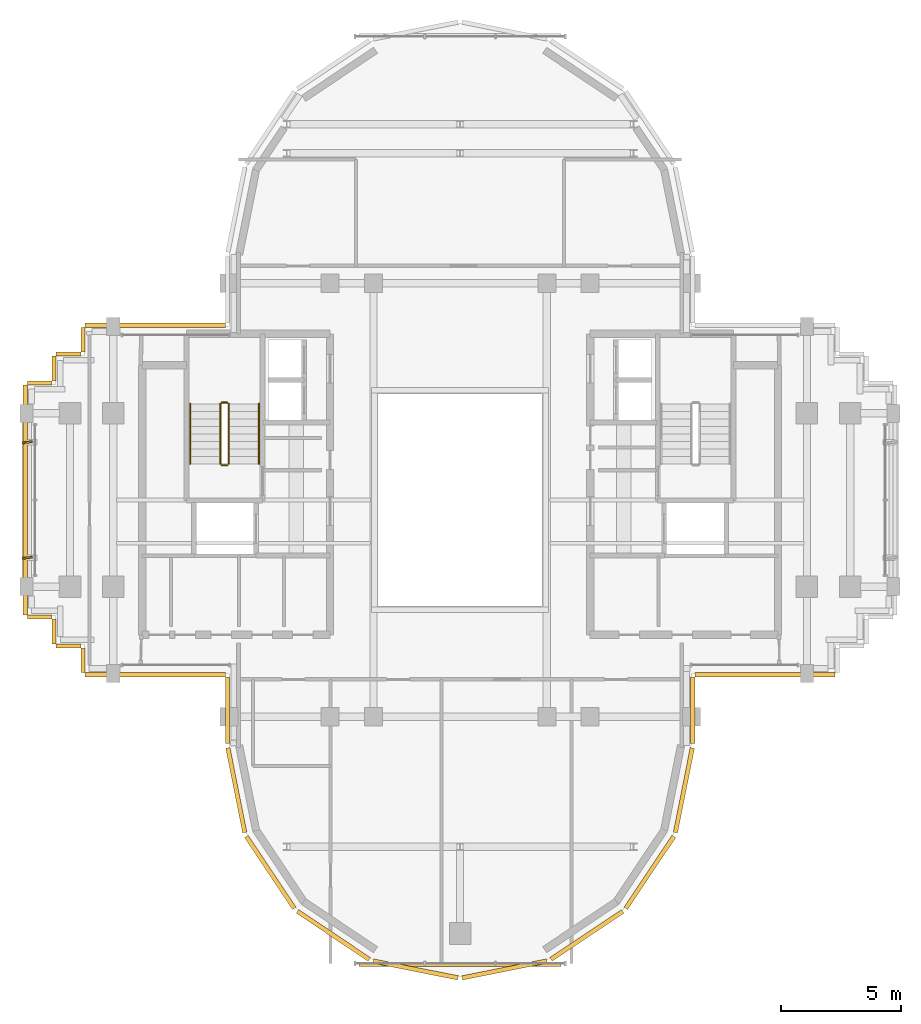
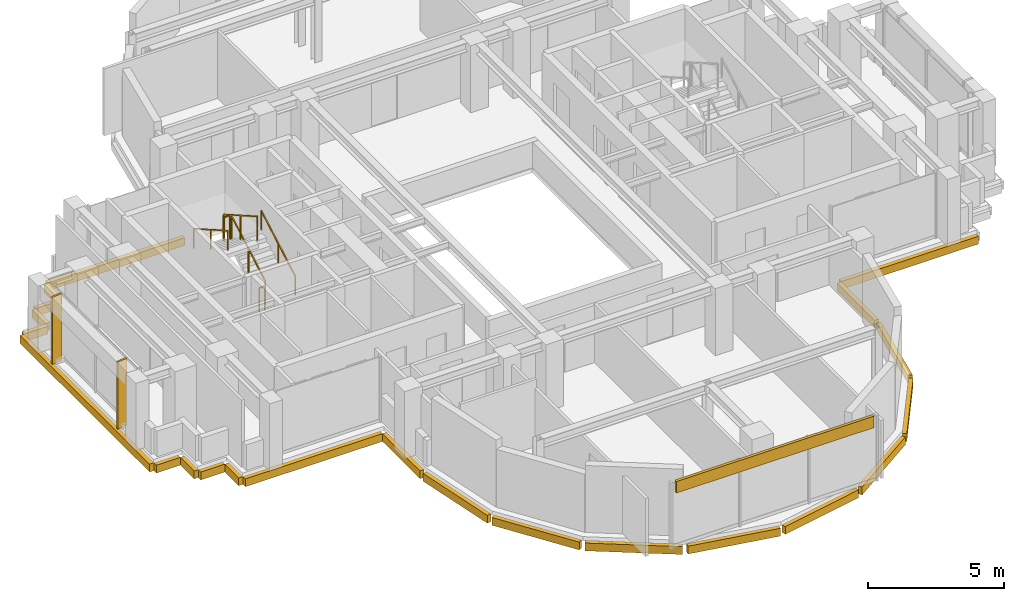
# One storey, part 11 of 12: 23 coverings, 6 railings, 2 shading devices.
"""IFC4 building model written with IfcOpenShell, lengths in metres."""

from ifc_helpers import new_model, si_unit, direction, frame, origin, origin_2d, place, context, subcontext, project, spatial, rectangle, extrude, source, transform, mapped, material, layer, layer_set, type_object, element, save


model = new_model("IFC4")

# Units and contexts
model_context = context("Model", 3, precision=1e-05, world=origin(), true_north=direction((0.0, 1.0)))
body_context = subcontext(model_context, "Body", "Model", "MODEL_VIEW")
ifc_project = project(units=[si_unit("LENGTHUNIT", "METRE"), si_unit("AREAUNIT", "SQUARE_METRE"), si_unit("VOLUMEUNIT", "CUBIC_METRE"), si_unit("PLANEANGLEUNIT", "RADIAN"), si_unit("MASSUNIT", "GRAM", prefix="KILO")], contexts=[model_context])

# Site, building, storey
site_placement = place(None, origin())
site = spatial("IfcSite", under=ifc_project, at=site_placement, CompositionType="ELEMENT")
building_placement = place(site_placement, origin())
building = spatial("IfcBuilding", under=site, at=building_placement, Name="Keilestroom Media Tower", CompositionType="ELEMENT")
storey_placement = place(building_placement, frame((0.0, 0.0, 226.800048828125)))
storey = spatial("IfcBuildingStorey", under=building, at=storey_placement, Name="L62", CompositionType="ELEMENT", Elevation=226.800048828125)

# Railings
ifc_material_1 = material(Name="Brushed Stainless Steel 1.4301", Category="steel")
railing_type_1 = type_object("IfcRailingType", Name="Stair-Pitch-Handrail-920", PredefinedType="HANDRAIL", material=ifc_material_1)
railing_1_placement = place(storey_placement, frame((-8.35009765625, 1.5, 0.177734375)))
element("IfcRailing", 1, at=railing_1_placement, inside=storey, type_object=railing_type_1, Name="L62 ST-1 stair handrail 1", PredefinedType="HANDRAIL", context=body_context, shape_type="SweptSolid", body=[
    extrude(rectangle(XDim=0.048095703125, YDim=0.048095703125, at=origin_2d()), frame((0.0, 0.0, 0.8759765625), z_axis=(0.0, 0.868875238982, 0.495031129408), x_axis=(-1.0, 0.0, 0.0)), (0.0, 0.0, 1.0), 2.872802734375),
    extrude(rectangle(XDim=0.0419921875, YDim=0.0419921875, at=origin_2d()), origin(), (0.0, 0.0, 1.0), 0.84375),
    extrude(rectangle(XDim=0.0419921875, YDim=0.0419921875, at=origin_2d()), frame((0.0, 1.248046875, 0.7109375)), (0.0, 0.0, 1.0), 0.84375),
    extrude(rectangle(XDim=0.0419921875, YDim=0.0419921875, at=origin_2d()), frame((0.0, 2.49609375, 1.422119140625)), (0.0, 0.0, 1.0), 0.84375),
])
railing_2_placement = place(storey_placement, frame((-11.2099609375, 3.99609375, 1.77783203125)))
element("IfcRailing", 2, at=railing_2_placement, inside=storey, type_object=railing_type_1, Name="L62 ST-1 stair handrail 2", PredefinedType="HANDRAIL", context=body_context, shape_type="SweptSolid", body=[
    extrude(rectangle(XDim=0.048095703125, YDim=0.048095703125, at=origin_2d()), frame((0.0, 0.0, 0.8759765625), z_axis=(0.0, -0.868875238982, 0.495031129408), x_axis=(1.0, 0.0, 0.0)), (0.0, 0.0, 1.0), 2.872802734375),
    extrude(rectangle(XDim=0.0419921875, YDim=0.0419921875, at=origin_2d()), origin(), (0.0, 0.0, 1.0), 0.84375),
    extrude(rectangle(XDim=0.0419921875, YDim=0.0419921875, at=origin_2d()), frame((0.0, -1.248046875, 0.7109375)), (0.0, 0.0, 1.0), 0.84375),
    extrude(rectangle(XDim=0.0419921875, YDim=0.0419921875, at=origin_2d()), frame((0.0, -2.49609375, 1.422119140625)), (0.0, 0.0, 1.0), 0.84375),
])
ifc_material_2 = material(Name="Painted Steel Balustrade", Category="steel")
railing_type_2 = type_object("IfcRailingType", Name="Stair-Well-And-Landing-Guard-1100", PredefinedType="GUARDRAIL", material=ifc_material_2)
railing_3_placement = place(storey_placement, frame((-9.610107421875, 1.5, 0.177734375)))
element("IfcRailing", 3, at=railing_3_placement, inside=storey, type_object=railing_type_2, Name="L62 ST-1 stair guard 1", PredefinedType="GUARDRAIL", context=body_context, shape_type="SweptSolid", body=[
    extrude(rectangle(XDim=0.048095703125, YDim=0.048095703125, at=origin_2d()), frame((0.0, 0.0, 1.076171875), z_axis=(0.0, 0.868875238982, 0.495031129408), x_axis=(-1.0, 0.0, 0.0)), (0.0, 0.0, 1.0), 2.872802734375),
    extrude(rectangle(XDim=0.0419921875, YDim=0.0419921875, at=origin_2d()), origin(), (0.0, 0.0, 1.0), 1.0439453125),
    extrude(rectangle(XDim=0.0419921875, YDim=0.0419921875, at=origin_2d()), frame((0.0, 1.248046875, 0.7109375)), (0.0, 0.0, 1.0), 1.0439453125),
    extrude(rectangle(XDim=0.0419921875, YDim=0.0419921875, at=origin_2d()), frame((0.0, 2.49609375, 1.422119140625)), (0.0, 0.0, 1.0), 1.0439453125),
])
railing_4_placement = place(storey_placement, frame((-9.659912109375, 4.0458984375, 1.599853515625)))
element("IfcRailing", 4, at=railing_4_placement, inside=storey, type_object=railing_type_2, Name="L62 ST-1 stair guard 2", PredefinedType="GUARDRAIL", context=body_context, shape_type="SweptSolid", body=[
    extrude(rectangle(XDim=0.048095703125, YDim=0.048095703125, at=origin_2d()), frame((0.0, 0.0, 1.076171875), z_axis=(-1.0, 0.0, 0.0), x_axis=(0.0, -1.0, 0.0)), (0.0, 0.0, 1.0), 0.239990234375),
    extrude(rectangle(XDim=0.0419921875, YDim=0.0419921875, at=origin_2d()), origin(), (0.0, 0.0, 1.0), 1.0439453125),
    extrude(rectangle(XDim=0.0419921875, YDim=0.0419921875, at=origin_2d()), frame((-0.239990234375, 0.0, 0.0)), (0.0, 0.0, 1.0), 1.0439453125),
])
railing_5_placement = place(storey_placement, frame((-9.949951171875, 3.99609375, 1.77783203125)))
element("IfcRailing", 5, at=railing_5_placement, inside=storey, type_object=railing_type_2, Name="L62 ST-1 stair guard 3", PredefinedType="GUARDRAIL", context=body_context, shape_type="SweptSolid", body=[
    extrude(rectangle(XDim=0.048095703125, YDim=0.048095703125, at=origin_2d()), frame((0.0, 0.0, 1.076171875), z_axis=(0.0, -0.868875238982, 0.495031129408), x_axis=(1.0, 0.0, 0.0)), (0.0, 0.0, 1.0), 2.872802734375),
    extrude(rectangle(XDim=0.0419921875, YDim=0.0419921875, at=origin_2d()), origin(), (0.0, 0.0, 1.0), 1.0439453125),
    extrude(rectangle(XDim=0.0419921875, YDim=0.0419921875, at=origin_2d()), frame((0.0, -1.248046875, 0.7109375)), (0.0, 0.0, 1.0), 1.0439453125),
    extrude(rectangle(XDim=0.0419921875, YDim=0.0419921875, at=origin_2d()), frame((0.0, -2.49609375, 1.422119140625)), (0.0, 0.0, 1.0), 1.0439453125),
])
railing_6_placement = place(storey_placement, frame((-9.659912109375, 1.449951171875, 0.0)))
element("IfcRailing", 6, at=railing_6_placement, inside=storey, type_object=railing_type_2, Name="L62 ST-1 stair guard 4", PredefinedType="GUARDRAIL", context=body_context, shape_type="SweptSolid", body=[
    extrude(rectangle(XDim=0.048095703125, YDim=0.048095703125, at=origin_2d()), frame((0.0, 0.0, 1.076171875), z_axis=(-1.0, 0.0, 0.0), x_axis=(0.0, -1.0, 0.0)), (0.0, 0.0, 1.0), 0.239990234375),
    extrude(rectangle(XDim=0.0419921875, YDim=0.0419921875, at=origin_2d()), origin(), (0.0, 0.0, 1.0), 1.0439453125),
    extrude(rectangle(XDim=0.0419921875, YDim=0.0419921875, at=origin_2d()), frame((-0.239990234375, 0.0, 0.0)), (0.0, 0.0, 1.0), 1.0439453125),
])

# Covering
ifc_material_3 = material(Name="Precast concrete C40/50", Category="concrete")
ifc_layer = layer(ifc_material_3, 0.1201171875)
ifc_layer_set = layer_set([ifc_layer], Name="Precast concrete C40/50")
covering_type = type_object("IfcCoveringType", Name="Exterior-Precast-Spandrel-Cladding-Panel-120", PredefinedType="CLADDING", material=ifc_layer_set)
shared_shape_1 = source(origin(), body_context, "Body", "SweptSolid", [
    extrude(rectangle(XDim=8.39990234375, YDim=0.1201171875, at=origin_2d()), origin(), (0.0, 0.0, 1.0), 0.52001953125),
])
covering_1_placement = place(storey_placement, frame((0.0, -19.320068359375, 2.5), z_axis=(0.0, 0.0, 1.0), x_axis=(1.0, 0.0, 0.0)))
element("IfcCovering", 7, at=covering_1_placement, inside=storey, type_object=covering_type, Name="L62 Precast Spandrel Cladding S", PredefinedType="CLADDING", context=body_context, shape_type="MappedRepresentation", body=[
    mapped(shared_shape_1, transform((0.0, 0.0, 0.0), x_axis=(1.0, 0.0, 0.0), y_axis=(0.0, 1.0, 0.0), z_axis=(0.0, 0.0, 1.0), scale=1.0)),
])

# Shading devices
ifc_material_4 = material(Name="Bronze Anodised Aluminium", Category="aluminium")
shading_device_type = type_object("IfcShadingDeviceType", Name="Facade-Vertical-Sunshade-Fin-SHD-1", PredefinedType="USERDEFINED", material=ifc_material_4)
shared_shape_2 = source(origin(), body_context, "Body", "SweptSolid", [
    extrude(rectangle(XDim=0.419921875, YDim=0.080078125, at=origin_2d()), origin(), (0.0, 0.0, 1.0), 3.010009765625),
])
for number, where, z_axis, x_axis, name in (
    (8, (-17.969970703125, -2.39990234375, 0.0), (0.0, 0.0, 1.0), (0.992353495299, 0.123428280263, 0.0), "L62 Twisting Sunshade Fin SHD-1 093"),
    (9, (-17.969970703125, 2.39990234375, 0.0), (0.0, 0.0, 1.0), (0.992353495299, 0.123428280263, 0.0), "L62 Twisting Sunshade Fin SHD-1 094"),
):
    element("IfcShadingDevice", number, at=place(storey_placement, frame(where, z_axis=z_axis, x_axis=x_axis)), inside=storey, type_object=shading_device_type, Name=name, ObjectType="SUNSHADE", PredefinedType="USERDEFINED", context=body_context, shape_type="MappedRepresentation", body=[
        mapped(shared_shape_2, transform((0.0, 0.0, 0.0), x_axis=(1.0, 0.0, 0.0), y_axis=(0.0, 1.0, 0.0), z_axis=(0.0, 0.0, 1.0), scale=1.0)),
    ])

# Coverings
shared_shape_3 = source(origin(), body_context, "Body", "SweptSolid", [
    extrude(rectangle(XDim=1.02001953125, YDim=0.179931640625, at=origin_2d()), origin(), (0.0, 0.0, 1.0), 0.35009765625),
])
for number, where, z_axis, x_axis, name in (
    (10, (-15.659912109375, -6.659912109375, -0.530029296875), (0.0, 0.0, 1.0), (0.0, 1.0, 0.0), "L62 Precast Slab-Edge Fascia Cornice 17"),
    (11, (-16.260009765625, -6.06005859375, -0.530029296875), (0.0, 0.0, 1.0), (-1.0, 0.0, 0.0), "L62 Precast Slab-Edge Fascia Cornice 18"),
    (12, (-16.860107421875, -5.4599609375, -0.530029296875), (0.0, 0.0, 1.0), (0.0, 1.0, 0.0), "L62 Precast Slab-Edge Fascia Cornice 19"),
    (13, (-17.4599609375, -4.860107421875, -0.530029296875), (0.0, 0.0, 1.0), (-1.0, 0.0, 0.0), "L62 Precast Slab-Edge Fascia Cornice 20"),
    (14, (-17.4599609375, 4.860107421875, -0.530029296875), (0.0, 0.0, 1.0), (1.0, 0.0, 0.0), "L62 Precast Slab-Edge Fascia Cornice 22"),
    (15, (-16.860107421875, 5.4599609375, -0.530029296875), (0.0, 0.0, 1.0), (0.0, 1.0, 0.0), "L62 Precast Slab-Edge Fascia Cornice 23"),
    (16, (-16.260009765625, 6.06005859375, -0.530029296875), (0.0, 0.0, 1.0), (1.0, 0.0, 0.0), "L62 Precast Slab-Edge Fascia Cornice 24"),
    (17, (-15.659912109375, 6.659912109375, -0.530029296875), (0.0, 0.0, 1.0), (0.0, 1.0, 0.0), "L62 Precast Slab-Edge Fascia Cornice 25"),
):
    element("IfcCovering", number, at=place(storey_placement, frame(where, z_axis=z_axis, x_axis=x_axis)), inside=storey, type_object=covering_type, Name=name, PredefinedType="CLADDING", context=body_context, shape_type="MappedRepresentation", body=[
        mapped(shared_shape_3, transform((0.0, 0.0, 0.0), x_axis=(1.0, 0.0, 0.0), y_axis=(0.0, 1.0, 0.0), z_axis=(0.0, 0.0, 1.0), scale=1.0)),
    ])
shared_shape_4 = source(origin(), body_context, "Body", "SweptSolid", [
    extrude(rectangle(XDim=5.820068359375, YDim=0.179931640625, at=origin_2d()), origin(), (0.0, 0.0, 1.0), 0.35009765625),
])
for number, where, z_axis, x_axis, name in (
    (18, (12.659912109375, -7.260009765625, -0.530029296875), (0.0, 0.0, 1.0), (-1.0, 0.0, 0.0), "L62 Precast Slab-Edge Fascia Cornice 05"),
    (19, (-12.659912109375, -7.260009765625, -0.530029296875), (0.0, 0.0, 1.0), (-1.0, 0.0, 0.0), "L62 Precast Slab-Edge Fascia Cornice 16"),
    (20, (-12.659912109375, 7.260009765625, -0.530029296875), (0.0, 0.0, 1.0), (1.0, 0.0, 0.0), "L62 Precast Slab-Edge Fascia Cornice 26"),
):
    element("IfcCovering", number, at=place(storey_placement, frame(where, z_axis=z_axis, x_axis=x_axis)), inside=storey, type_object=covering_type, Name=name, PredefinedType="CLADDING", context=body_context, shape_type="MappedRepresentation", body=[
        mapped(shared_shape_4, transform((0.0, 0.0, 0.0), x_axis=(1.0, 0.0, 0.0), y_axis=(0.0, 1.0, 0.0), z_axis=(0.0, 0.0, 1.0), scale=1.0)),
    ])
shared_shape_5 = source(origin(), body_context, "Body", "SweptSolid", [
    extrude(rectangle(XDim=2.765869140625, YDim=0.179931640625, at=origin_2d()), origin(), (0.0, 0.0, 1.0), 0.35009765625),
])
for number, where, z_axis, x_axis, name in (
    (21, (9.659912109375, -8.73291015625, -0.530029296875), (0.0, 0.0, 1.0), (0.0, -1.0, 0.0), "L62 Precast Slab-Edge Fascia Cornice 06"),
    (22, (-9.659912109375, -8.73291015625, -0.530029296875), (0.0, 0.0, 1.0), (0.0, 1.0, 0.0), "L62 Precast Slab-Edge Fascia Cornice 15"),
):
    element("IfcCovering", number, at=place(storey_placement, frame(where, z_axis=z_axis, x_axis=x_axis)), inside=storey, type_object=covering_type, Name=name, PredefinedType="CLADDING", context=body_context, shape_type="MappedRepresentation", body=[
        mapped(shared_shape_5, transform((0.0, 0.0, 0.0), x_axis=(1.0, 0.0, 0.0), y_axis=(0.0, 1.0, 0.0), z_axis=(0.0, 0.0, 1.0), scale=1.0)),
    ])
shared_shape_6 = source(origin(), body_context, "Body", "SweptSolid", [
    extrude(rectangle(XDim=3.58349609375, YDim=0.179931640625, at=origin_2d()), origin(), (0.0, 0.0, 1.0), 0.35009765625),
])
for number, where, z_axis, x_axis, name in (
    (23, (9.29296875, -12.051513671875, -0.530029296875), (0.0, 0.0, 1.0), (-0.195098880975, -0.980783577882, 0.0), "L62 Precast Slab-Edge Fascia Cornice 07"),
    (24, (-9.29296875, -12.051513671875, -0.530029296875), (0.0, 0.0, 1.0), (-0.195098880975, 0.980783577882, 0.0), "L62 Precast Slab-Edge Fascia Cornice 14"),
):
    element("IfcCovering", number, at=place(storey_placement, frame(where, z_axis=z_axis, x_axis=x_axis)), inside=storey, type_object=covering_type, Name=name, PredefinedType="CLADDING", context=body_context, shape_type="MappedRepresentation", body=[
        mapped(shared_shape_6, transform((0.0, 0.0, 0.0), x_axis=(1.0, 0.0, 0.0), y_axis=(0.0, 1.0, 0.0), z_axis=(0.0, 0.0, 1.0), scale=1.0)),
    ])
shared_shape_7 = source(origin(), body_context, "Body", "SweptSolid", [
    extrude(rectangle(XDim=3.589599609375, YDim=0.179931640625, at=origin_2d()), origin(), (0.0, 0.0, 1.0), 0.35009765625),
])
for number, where, z_axis, x_axis, name in (
    (25, (7.878662109375, -15.46435546875, -0.530029296875), (0.0, 0.0, 1.0), (-0.555574586577, -0.831466703332, 0.0), "L62 Precast Slab-Edge Fascia Cornice 08"),
    (26, (5.264404296875, -18.07861328125, -0.530029296875), (0.0, 0.0, 1.0), (-0.831466703332, -0.555574586577, 0.0), "L62 Precast Slab-Edge Fascia Cornice 09"),
    (27, (1.8486328125, -19.493408203125, -0.530029296875), (0.0, 0.0, 1.0), (-0.980783577882, -0.195098880975, 0.0), "L62 Precast Slab-Edge Fascia Cornice 10"),
    (28, (-1.8486328125, -19.493408203125, -0.530029296875), (0.0, 0.0, 1.0), (-0.980783577882, 0.195098880975, 0.0), "L62 Precast Slab-Edge Fascia Cornice 11"),
    (29, (-5.264404296875, -18.07861328125, -0.530029296875), (0.0, 0.0, 1.0), (-0.831466703332, 0.555574586577, 0.0), "L62 Precast Slab-Edge Fascia Cornice 12"),
    (30, (-7.878662109375, -15.46435546875, -0.530029296875), (0.0, 0.0, 1.0), (-0.555574586577, 0.831466703332, 0.0), "L62 Precast Slab-Edge Fascia Cornice 13"),
):
    element("IfcCovering", number, at=place(storey_placement, frame(where, z_axis=z_axis, x_axis=x_axis)), inside=storey, type_object=covering_type, Name=name, PredefinedType="CLADDING", context=body_context, shape_type="MappedRepresentation", body=[
        mapped(shared_shape_7, transform((0.0, 0.0, 0.0), x_axis=(1.0, 0.0, 0.0), y_axis=(0.0, 1.0, 0.0), z_axis=(0.0, 0.0, 1.0), scale=1.0)),
    ])
shared_shape_8 = source(origin(), body_context, "Body", "SweptSolid", [
    extrude(rectangle(XDim=9.5400390625, YDim=0.179931640625, at=origin_2d()), origin(), (0.0, 0.0, 1.0), 0.35009765625),
])
covering_2_placement = place(storey_placement, frame((-18.06005859375, 0.0, -0.530029296875), z_axis=(0.0, 0.0, 1.0), x_axis=(0.0, 1.0, 0.0)))
element("IfcCovering", 31, at=covering_2_placement, inside=storey, type_object=covering_type, Name="L62 Precast Slab-Edge Fascia Cornice 21", PredefinedType="CLADDING", context=body_context, shape_type="MappedRepresentation", body=[
    mapped(shared_shape_8, transform((0.0, 0.0, 0.0), x_axis=(1.0, 0.0, 0.0), y_axis=(0.0, 1.0, 0.0), z_axis=(0.0, 0.0, 1.0), scale=1.0)),
])

save(model, "model.ifc")
